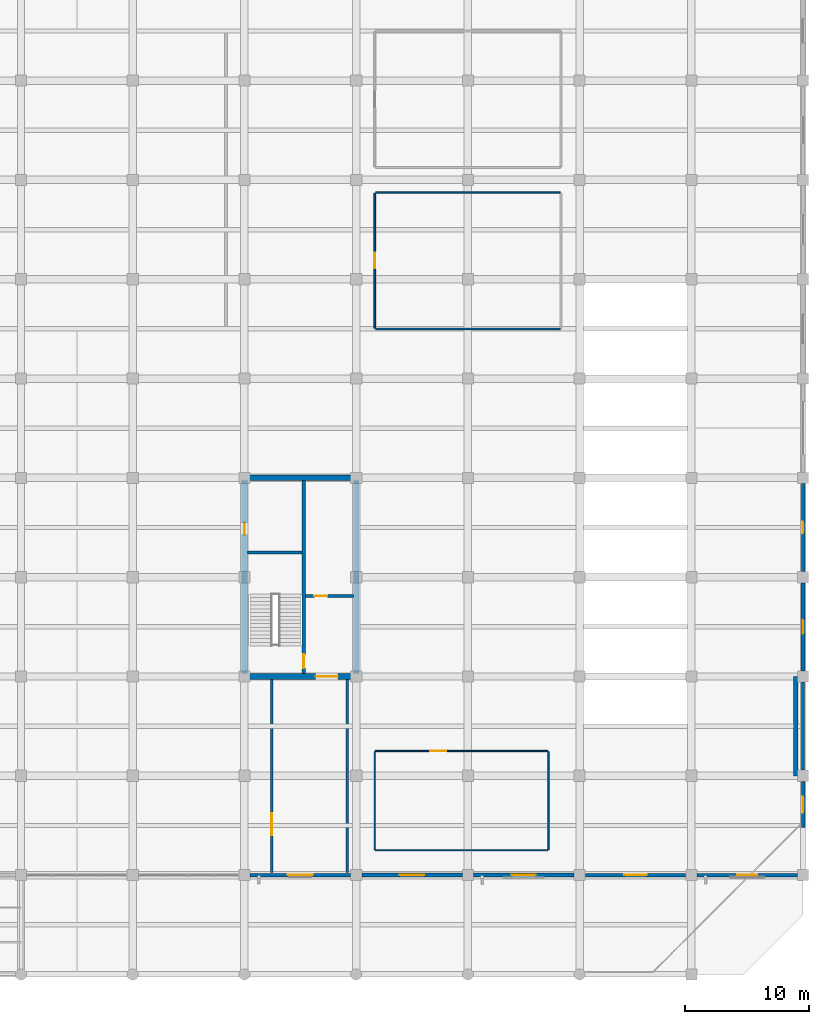
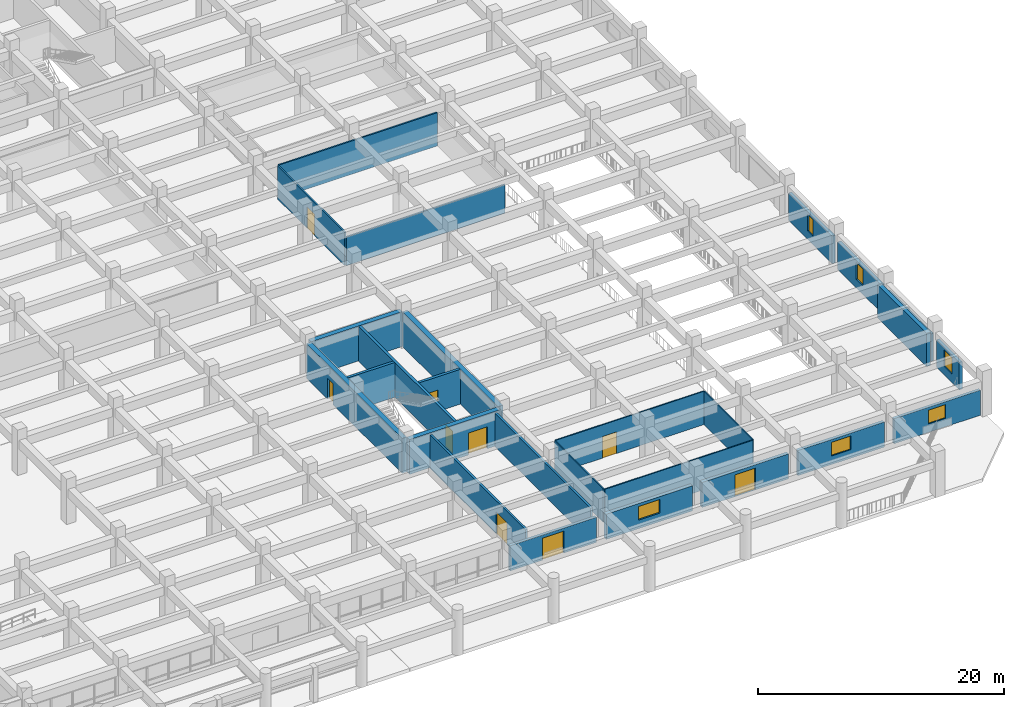
# One storey, part 28 of 40: 26 walls, 9 doors, 6 windows, 15 openings.
"""IFC4 building model written with IfcOpenShell, lengths in metres."""

from ifc_helpers import new_model, si_unit, direction, frame, frame_2d, origin, place, context, subcontext, project, spatial, rectangle, extrude, material, layer, layer_set, type_object, element, fill, save


model = new_model("IFC4")

# Units and contexts
model_context = context("Model", 3, precision=1e-05, world=origin(), true_north=direction((0.0, 1.0)))
body_context = subcontext(model_context, "Body", "Model", "MODEL_VIEW")
ifc_project = project(units=[si_unit("LENGTHUNIT", "METRE"), si_unit("AREAUNIT", "SQUARE_METRE"), si_unit("VOLUMEUNIT", "CUBIC_METRE"), si_unit("PLANEANGLEUNIT", "RADIAN"), si_unit("MASSUNIT", "GRAM", prefix="KILO")], contexts=[model_context])

# Site, building, storey
site_placement = place(None, origin())
site = spatial("IfcSite", under=ifc_project, at=site_placement, CompositionType="ELEMENT")
building_placement = place(site_placement, origin())
building = spatial("IfcBuilding", under=site, at=building_placement, Name="Zaverband Oceanarium and Marine Research Institute", CompositionType="ELEMENT")
storey_placement = place(building_placement, origin())
storey = spatial("IfcBuildingStorey", under=building, at=storey_placement, Name="L00", CompositionType="ELEMENT", Elevation=0.0)

# Wall, opening, door
ifc_material_1 = material(Name="Concrete C50/60", Category="concrete")
ifc_layer_1 = layer(ifc_material_1, 0.449951171875, Name="Concrete C50/60")
ifc_layer_set_1 = layer_set([ifc_layer_1], Name="Concrete C50/60")
wall_type_1 = type_object("IfcWallType", Name="CW-02", PredefinedType="SHEAR", material=ifc_layer_set_1)
wall_1_placement = place(storey_placement, frame((135.22509765625, 24.0, 0.0), z_axis=(0.0, 0.0, 1.0), x_axis=(1.0, 0.0, 0.0)))
wall_1 = element("IfcWall", 1, at=wall_1_placement, inside=storey, type_object=wall_type_1, Name="Structural shear wall CW-02", PredefinedType="SHEAR", context=body_context, shape_type="SweptSolid", body=[
    extrude(rectangle(XDim=8.5498046875, YDim=0.449951171875, at=frame_2d((4.27490234375, 0.0))), origin(), (0.0, 0.0, 1.0), 3.449951171875),
])
opening_1_placement = place(wall_1_placement, frame((5.5, 0.0, 0.0)))
opening_1 = element("IfcOpeningElement", 2, at=opening_1_placement, cuts=wall_1, Name="Opening FD-02", PredefinedType="OPENING", context=body_context, shape_type="SweptSolid", body=[
    extrude(rectangle(XDim=1.800048828125, YDim=2.179931640625, at=frame_2d((0.89990234375, 1.08984375))), frame((0.0, 0.23681640625, 0.0), z_axis=(0.0, -1.0, 0.0), x_axis=(1.0, 0.0, 0.0)), (0.0, 0.0, 1.0), 0.473876953125),
])
ifc_material_2 = material(Name="Steel S355", Category="steel")
door_type_1 = type_object("IfcDoorType", Name="FD-02", OperationType="DOUBLE_DOOR_SINGLE_SWING", PredefinedType="DOOR", material=ifc_material_2)
door_1_placement = place(opening_1_placement, frame((1.800048828125, 0.0, 0.0), z_axis=(0.0, 0.0, 1.0), x_axis=(-1.0, 0.0, 0.0)))
door_1 = element("IfcDoor", 3, at=door_1_placement, inside=storey, type_object=door_type_1, Name="Protected lobby double fire door FD-02", OperationType="DOUBLE_DOOR_SINGLE_SWING", OverallHeight=2.179931640625, OverallWidth=1.800048828125, PredefinedType="DOOR", context=body_context, shape_type="SweptSolid", body=[
    extrude(rectangle(XDim=1.800048828125, YDim=2.179931640625, at=frame_2d((0.89990234375, 1.08984375))), frame((0.0, 0.02490234375, 0.0), z_axis=(0.0, -1.0, 0.0), x_axis=(1.0, 0.0, 0.0)), (0.0, 0.0, 1.0), 0.050048828125),
])
fill(opening_1, door_1)

# Wall
wall_2_placement = place(storey_placement, frame((135.22509765625, 40.0, 0.0), z_axis=(0.0, 0.0, 1.0), x_axis=(1.0, 0.0, 0.0)))
element("IfcWall", 4, at=wall_2_placement, inside=storey, type_object=wall_type_1, Name="Structural shear wall CW-02", PredefinedType="SHEAR", context=body_context, shape_type="SweptSolid", body=[
    extrude(rectangle(XDim=8.5498046875, YDim=0.449951171875, at=frame_2d((4.27490234375, 0.0))), origin(), (0.0, 0.0, 1.0), 3.449951171875),
])

# Wall, opening, door
wall_3_placement = place(storey_placement, frame((135.0, 24.22509765625, 0.0), z_axis=(0.0, 0.0, 1.0), x_axis=(0.0, 1.0, 0.0)))
wall_3 = element("IfcWall", 5, at=wall_3_placement, inside=storey, type_object=wall_type_1, Name="Structural shear wall CW-02", PredefinedType="SHEAR", context=body_context, shape_type="SweptSolid", body=[
    extrude(rectangle(XDim=15.5498046875, YDim=0.449951171875, at=frame_2d((7.77490234375, 0.0))), origin(), (0.0, 0.0, 1.0), 3.449951171875),
])
opening_2_placement = place(wall_3_placement, frame((11.199951171875, 0.0, 0.0)))
opening_2 = element("IfcOpeningElement", 6, at=opening_2_placement, cuts=wall_3, Name="Opening FD-03", PredefinedType="OPENING", context=body_context, shape_type="SweptSolid", body=[
    extrude(rectangle(XDim=0.949951171875, YDim=2.10009765625, at=frame_2d((0.47509765625, 1.050048828125))), frame((0.0, 0.23681640625, 0.0), z_axis=(0.0, -1.0, 0.0), x_axis=(1.0, 0.0, 0.0)), (0.0, 0.0, 1.0), 0.473876953125),
])
door_type_2 = type_object("IfcDoorType", Name="FD-03", OperationType="NOTDEFINED", PredefinedType="DOOR", material=ifc_material_2)
door_2_placement = place(opening_2_placement, origin())
door_2 = element("IfcDoor", 7, at=door_2_placement, inside=storey, type_object=door_type_2, Name="Service riser access fire door FD-03", OperationType="SINGLE_SWING_RIGHT", OverallHeight=2.10009765625, OverallWidth=0.949951171875, PredefinedType="DOOR", context=body_context, shape_type="SweptSolid", body=[
    extrude(rectangle(XDim=0.949951171875, YDim=2.10009765625, at=frame_2d((0.47509765625, 1.050048828125))), frame((0.0, 0.02490234375, 0.0), z_axis=(0.0, -1.0, 0.0), x_axis=(1.0, 0.0, 0.0)), (0.0, 0.0, 1.0), 0.050048828125),
])
fill(opening_2, door_2)

# Wall
wall_4_placement = place(storey_placement, frame((144.0, 24.22509765625, 0.0), z_axis=(0.0, 0.0, 1.0), x_axis=(0.0, 1.0, 0.0)))
element("IfcWall", 8, at=wall_4_placement, inside=storey, type_object=wall_type_1, Name="Structural shear wall CW-02", PredefinedType="SHEAR", context=body_context, shape_type="SweptSolid", body=[
    extrude(rectangle(XDim=15.5498046875, YDim=0.449951171875, at=frame_2d((7.77490234375, 0.0))), origin(), (0.0, 0.0, 1.0), 3.449951171875),
])

# Wall, opening, door
ifc_material_3 = material(Name="Concrete C40/50 precast", Category="concrete")
ifc_layer_2 = layer(ifc_material_3, 0.264892578125, Name="Concrete C40/50 precast")
ifc_layer_set_2 = layer_set([ifc_layer_2], Name="Concrete C40/50 precast")
wall_type_2 = type_object("IfcWallType", Name="EW-265", PredefinedType="STANDARD", material=ifc_layer_set_2)
wall_5_placement = place(storey_placement, frame((135.455078125, 8.0, 0.0), z_axis=(0.0, 0.0, 1.0), x_axis=(1.0, 0.0, 0.0)))
wall_5 = element("IfcWall", 9, at=wall_5_placement, inside=storey, type_object=wall_type_2, Name="Exterior infill wall EW-265", PredefinedType="STANDARD", context=body_context, shape_type="SweptSolid", body=[
    extrude(rectangle(XDim=8.08984375, YDim=0.264892578125, at=frame_2d((4.044921875, 0.0))), origin(), (0.0, 0.0, 1.0), 2.489990234375),
])
opening_3_placement = place(wall_5_placement, frame((3.044921875, 0.0, 0.0)))
opening_3 = element("IfcOpeningElement", 10, at=opening_3_placement, cuts=wall_5, Name="Opening ED-2000x2180", PredefinedType="OPENING", context=body_context, shape_type="SweptSolid", body=[
    extrude(rectangle(XDim=2.0, YDim=2.179931640625, at=frame_2d((1.0, 1.08984375))), frame((0.0, 0.14453125, 0.0), z_axis=(0.0, -1.0, 0.0), x_axis=(1.0, 0.0, 0.0)), (0.0, 0.0, 1.0), 0.288818359375),
])
ifc_material_4 = material(Name="Thermally broken anodized aluminium and laminated glass", Category="aluminium")
door_type_3 = type_object("IfcDoorType", Name="ED-2000x2180", OperationType="DOUBLE_DOOR_SINGLE_SWING", PredefinedType="DOOR", material=ifc_material_4)
door_3_placement = place(opening_3_placement, frame((2.0, 0.0, 0.0), z_axis=(0.0, 0.0, 1.0), x_axis=(-1.0, 0.0, 0.0)))
door_3 = element("IfcDoor", 11, at=door_3_placement, inside=storey, type_object=door_type_3, Name="Pedestrian exit E5", OperationType="DOUBLE_DOOR_SINGLE_SWING", OverallHeight=2.179931640625, OverallWidth=2.0, PredefinedType="DOOR", context=body_context, shape_type="SweptSolid", body=[
    extrude(rectangle(XDim=2.0, YDim=2.179931640625, at=frame_2d((1.0, 1.08984375))), frame((0.0, 0.02490234375, 0.0), z_axis=(0.0, -1.0, 0.0), x_axis=(1.0, 0.0, 0.0)), (0.0, 0.0, 1.0), 0.050048828125),
])
fill(opening_3, door_3)

# Wall, opening, window
wall_6_placement = place(storey_placement, frame((171.455078125, 8.0, 0.0), z_axis=(0.0, 0.0, 1.0), x_axis=(1.0, 0.0, 0.0)))
wall_6 = element("IfcWall", 12, at=wall_6_placement, inside=storey, type_object=wall_type_2, Name="Exterior infill wall EW-265", PredefinedType="STANDARD", context=body_context, shape_type="SweptSolid", body=[
    extrude(rectangle(XDim=8.08984375, YDim=0.264892578125, at=frame_2d((4.044921875, 0.0))), origin(), (0.0, 0.0, 1.0), 2.489990234375),
])
opening_4_placement = place(wall_6_placement, frame((3.2451171875, 0.0, 0.85009765625)))
opening_4 = element("IfcOpeningElement", 13, at=opening_4_placement, cuts=wall_6, Name="Opening WN-1600x1350", PredefinedType="OPENING", context=body_context, shape_type="SweptSolid", body=[
    extrude(rectangle(XDim=1.60009765625, YDim=1.35009765625, at=frame_2d((0.800048828125, 0.675048828125))), frame((0.0, 0.14453125, 0.0), z_axis=(0.0, -1.0, 0.0), x_axis=(1.0, 0.0, 0.0)), (0.0, 0.0, 1.0), 0.288818359375),
])
ifc_material_5 = material(Name="Thermally broken anodized aluminium and solar-control glass", Category="aluminium")
window_type_1 = type_object("IfcWindowType", Name="WN-1600x1350", PartitioningType="SINGLE_PANEL", PredefinedType="WINDOW", material=ifc_material_5)
window_1_placement = place(opening_4_placement, origin())
window_1 = element("IfcWindow", 14, at=window_1_placement, inside=storey, type_object=window_type_1, Name="Fixed / casement exterior window WN-1600x1350", OverallHeight=1.35009765625, OverallWidth=1.60009765625, PartitioningType="SINGLE_PANEL", PredefinedType="WINDOW", context=body_context, shape_type="SweptSolid", body=[
    extrude(rectangle(XDim=1.60009765625, YDim=1.35009765625, at=frame_2d((0.800048828125, 0.675048828125))), frame((0.0, 0.030029296875, 0.0), z_axis=(0.0, -1.0, 0.0), x_axis=(1.0, 0.0, 0.0)), (0.0, 0.0, 1.0), 0.06005859375),
])
fill(opening_4, window_1)

# Wall
wall_7_placement = place(storey_placement, frame((180.0, 16.455078125, 0.0), z_axis=(0.0, 0.0, 1.0), x_axis=(0.0, 1.0, 0.0)))
element("IfcWall", 15, at=wall_7_placement, inside=storey, type_object=wall_type_2, Name="Exterior infill wall EW-265", PredefinedType="STANDARD", context=body_context, shape_type="SweptSolid", body=[
    extrude(rectangle(XDim=7.08984375, YDim=0.264892578125, at=frame_2d((3.544921875, 0.0))), origin(), (0.0, 0.0, 1.0), 2.72998046875),
])

# Wall, opening, window
ifc_layer_3 = layer(ifc_material_3, 0.2900390625, Name="Concrete C40/50 precast")
ifc_layer_set_3 = layer_set([ifc_layer_3], Name="Concrete C40/50 precast")
wall_type_3 = type_object("IfcWallType", Name="EW-290", PredefinedType="STANDARD", material=ifc_layer_set_3)
wall_8_placement = place(storey_placement, frame((162.455078125, 8.0, 0.0), z_axis=(0.0, 0.0, 1.0), x_axis=(1.0, 0.0, 0.0)))
wall_8 = element("IfcWall", 16, at=wall_8_placement, inside=storey, type_object=wall_type_3, Name="Exterior infill wall EW-290", PredefinedType="STANDARD", context=body_context, shape_type="SweptSolid", body=[
    extrude(rectangle(XDim=8.08984375, YDim=0.2900390625, at=frame_2d((4.044921875, 0.0))), origin(), (0.0, 0.0, 1.0), 2.489990234375),
])
opening_5_placement = place(wall_8_placement, frame((3.14501953125, 0.0, 0.85009765625)))
opening_5 = element("IfcOpeningElement", 17, at=opening_5_placement, cuts=wall_8, Name="Opening WN-1800x1350", PredefinedType="OPENING", context=body_context, shape_type="SweptSolid", body=[
    extrude(rectangle(XDim=1.800048828125, YDim=1.35009765625, at=frame_2d((0.89990234375, 0.675048828125))), frame((0.0, 0.156982421875, 0.0), z_axis=(0.0, -1.0, 0.0), x_axis=(1.0, 0.0, 0.0)), (0.0, 0.0, 1.0), 0.31396484375),
])
window_type_2 = type_object("IfcWindowType", Name="WN-1800x1350", PartitioningType="SINGLE_PANEL", PredefinedType="WINDOW", material=ifc_material_5)
window_2_placement = place(opening_5_placement, origin())
window_2 = element("IfcWindow", 18, at=window_2_placement, inside=storey, type_object=window_type_2, Name="Fixed / casement exterior window WN-1800x1350", OverallHeight=1.35009765625, OverallWidth=1.800048828125, PartitioningType="SINGLE_PANEL", PredefinedType="WINDOW", context=body_context, shape_type="SweptSolid", body=[
    extrude(rectangle(XDim=1.800048828125, YDim=1.35009765625, at=frame_2d((0.89990234375, 0.675048828125))), frame((0.0, 0.030029296875, 0.0), z_axis=(0.0, -1.0, 0.0), x_axis=(1.0, 0.0, 0.0)), (0.0, 0.0, 1.0), 0.06005859375),
])
fill(opening_5, window_2)

wall_9_placement = place(storey_placement, frame((180.0, 11.820068359375, 0.0), z_axis=(0.0, 0.0, 1.0), x_axis=(0.0, 1.0, 0.0)))
wall_9 = element("IfcWall", 19, at=wall_9_placement, inside=storey, type_object=wall_type_3, Name="Exterior infill wall EW-290", PredefinedType="STANDARD", context=body_context, shape_type="SweptSolid", body=[
    extrude(rectangle(XDim=3.724853515625, YDim=0.2900390625, at=frame_2d((1.8623046875, 0.0))), origin(), (0.0, 0.0, 1.0), 2.72998046875),
])
opening_6_placement = place(wall_9_placement, frame((1.21240234375, 0.0, 0.85009765625)))
opening_6 = element("IfcOpeningElement", 20, at=opening_6_placement, cuts=wall_9, Name="Opening WN-1300x1650", PredefinedType="OPENING", context=body_context, shape_type="SweptSolid", body=[
    extrude(rectangle(XDim=1.300048828125, YDim=1.64990234375, at=frame_2d((0.64990234375, 0.824951171875))), frame((0.0, 0.156982421875, 0.0), z_axis=(0.0, -1.0, 0.0), x_axis=(1.0, 0.0, 0.0)), (0.0, 0.0, 1.0), 0.31396484375),
])
window_type_3 = type_object("IfcWindowType", Name="WN-1300x1650", PartitioningType="SINGLE_PANEL", PredefinedType="WINDOW", material=ifc_material_5)
window_3_placement = place(opening_6_placement, origin())
window_3 = element("IfcWindow", 21, at=window_3_placement, inside=storey, type_object=window_type_3, Name="Fixed / casement exterior window WN-1300x1650", OverallHeight=1.64990234375, OverallWidth=1.300048828125, PartitioningType="SINGLE_PANEL", PredefinedType="WINDOW", context=body_context, shape_type="SweptSolid", body=[
    extrude(rectangle(XDim=1.300048828125, YDim=1.64990234375, at=frame_2d((0.64990234375, 0.824951171875))), frame((0.0, 0.030029296875, 0.0), z_axis=(0.0, -1.0, 0.0), x_axis=(1.0, 0.0, 0.0)), (0.0, 0.0, 1.0), 0.06005859375),
])
fill(opening_6, window_3)

wall_10_placement = place(storey_placement, frame((180.0, 32.455078125, 0.0), z_axis=(0.0, 0.0, 1.0), x_axis=(0.0, 1.0, 0.0)))
wall_10 = element("IfcWall", 22, at=wall_10_placement, inside=storey, type_object=wall_type_3, Name="Exterior infill wall EW-290", PredefinedType="STANDARD", context=body_context, shape_type="SweptSolid", body=[
    extrude(rectangle(XDim=7.08984375, YDim=0.2900390625, at=frame_2d((3.544921875, 0.0))), origin(), (0.0, 0.0, 1.0), 2.72998046875),
])
opening_7_placement = place(wall_10_placement, frame((3.094970703125, 0.0, 0.85009765625)))
opening_7 = element("IfcOpeningElement", 23, at=opening_7_placement, cuts=wall_10, Name="Opening WN-900x1650", PredefinedType="OPENING", context=body_context, shape_type="SweptSolid", body=[
    extrude(rectangle(XDim=0.89990234375, YDim=1.64990234375, at=frame_2d((0.449951171875, 0.824951171875))), frame((0.0, 0.156982421875, 0.0), z_axis=(0.0, -1.0, 0.0), x_axis=(1.0, 0.0, 0.0)), (0.0, 0.0, 1.0), 0.31396484375),
])
window_type_4 = type_object("IfcWindowType", Name="WN-900x1650", PartitioningType="SINGLE_PANEL", PredefinedType="WINDOW", material=ifc_material_5)
window_4_placement = place(opening_7_placement, origin())
window_4 = element("IfcWindow", 24, at=window_4_placement, inside=storey, type_object=window_type_4, Name="Fixed / casement exterior window WN-900x1650", OverallHeight=1.64990234375, OverallWidth=0.89990234375, PartitioningType="SINGLE_PANEL", PredefinedType="WINDOW", context=body_context, shape_type="SweptSolid", body=[
    extrude(rectangle(XDim=0.89990234375, YDim=1.64990234375, at=frame_2d((0.449951171875, 0.824951171875))), frame((0.0, 0.030029296875, 0.0), z_axis=(0.0, -1.0, 0.0), x_axis=(1.0, 0.0, 0.0)), (0.0, 0.0, 1.0), 0.06005859375),
])
fill(opening_7, window_4)

# Wall, opening, door
ifc_layer_4 = layer(ifc_material_3, 0.31005859375, Name="Concrete C40/50 precast")
ifc_layer_set_4 = layer_set([ifc_layer_4], Name="Concrete C40/50 precast")
wall_type_4 = type_object("IfcWallType", Name="EW-310", PredefinedType="STANDARD", material=ifc_layer_set_4)
wall_11_placement = place(storey_placement, frame((153.455078125, 8.0, 0.0), z_axis=(0.0, 0.0, 1.0), x_axis=(1.0, 0.0, 0.0)))
wall_11 = element("IfcWall", 25, at=wall_11_placement, inside=storey, type_object=wall_type_4, Name="Exterior infill wall EW-310", PredefinedType="STANDARD", context=body_context, shape_type="SweptSolid", body=[
    extrude(rectangle(XDim=8.08984375, YDim=0.31005859375, at=frame_2d((4.044921875, 0.0))), origin(), (0.0, 0.0, 1.0), 2.489990234375),
])
opening_8_placement = place(wall_11_placement, frame((3.094970703125, 0.0, 0.0)))
opening_8 = element("IfcOpeningElement", 26, at=opening_8_placement, cuts=wall_11, Name="Opening ED-1900x2160", PredefinedType="OPENING", context=body_context, shape_type="SweptSolid", body=[
    extrude(rectangle(XDim=1.89990234375, YDim=2.159912109375, at=frame_2d((0.949951171875, 1.080078125))), frame((0.0, 0.1669921875, 0.0), z_axis=(0.0, -1.0, 0.0), x_axis=(1.0, 0.0, 0.0)), (0.0, 0.0, 1.0), 0.333984375),
])
door_type_4 = type_object("IfcDoorType", Name="ED-1900x2160", OperationType="DOUBLE_DOOR_SINGLE_SWING", PredefinedType="DOOR", material=ifc_material_4)
door_4_placement = place(opening_8_placement, frame((1.89990234375, 0.0, 0.0), z_axis=(0.0, 0.0, 1.0), x_axis=(-1.0, 0.0, 0.0)))
door_4 = element("IfcDoor", 27, at=door_4_placement, inside=storey, type_object=door_type_4, Name="Stair discharge exit E6", OperationType="DOUBLE_DOOR_SINGLE_SWING", OverallHeight=2.159912109375, OverallWidth=1.89990234375, PredefinedType="DOOR", context=body_context, shape_type="SweptSolid", body=[
    extrude(rectangle(XDim=1.89990234375, YDim=2.159912109375, at=frame_2d((0.949951171875, 1.080078125))), frame((0.0, 0.02490234375, 0.0), z_axis=(0.0, -1.0, 0.0), x_axis=(1.0, 0.0, 0.0)), (0.0, 0.0, 1.0), 0.050048828125),
])
fill(opening_8, door_4)

# Wall, opening, window
wall_12_placement = place(storey_placement, frame((180.0, 24.455078125, 0.0), z_axis=(0.0, 0.0, 1.0), x_axis=(0.0, 1.0, 0.0)))
wall_12 = element("IfcWall", 28, at=wall_12_placement, inside=storey, type_object=wall_type_4, Name="Exterior infill wall EW-310", PredefinedType="STANDARD", context=body_context, shape_type="SweptSolid", body=[
    extrude(rectangle(XDim=7.08984375, YDim=0.31005859375, at=frame_2d((3.544921875, 0.0))), origin(), (0.0, 0.0, 1.0), 2.72998046875),
])
opening_9_placement = place(wall_12_placement, frame((2.9951171875, 0.0, 0.85009765625)))
opening_9 = element("IfcOpeningElement", 29, at=opening_9_placement, cuts=wall_12, Name="Opening WN-1100x1650", PredefinedType="OPENING", context=body_context, shape_type="SweptSolid", body=[
    extrude(rectangle(XDim=1.10009765625, YDim=1.64990234375, at=frame_2d((0.550048828125, 0.824951171875))), frame((0.0, 0.1669921875, 0.0), z_axis=(0.0, -1.0, 0.0), x_axis=(1.0, 0.0, 0.0)), (0.0, 0.0, 1.0), 0.333984375),
])
window_type_5 = type_object("IfcWindowType", Name="WN-1100x1650", PartitioningType="SINGLE_PANEL", PredefinedType="WINDOW", material=ifc_material_5)
window_5_placement = place(opening_9_placement, origin())
window_5 = element("IfcWindow", 30, at=window_5_placement, inside=storey, type_object=window_type_5, Name="Fixed / casement exterior window WN-1100x1650", OverallHeight=1.64990234375, OverallWidth=1.10009765625, PartitioningType="SINGLE_PANEL", PredefinedType="WINDOW", context=body_context, shape_type="SweptSolid", body=[
    extrude(rectangle(XDim=1.10009765625, YDim=1.64990234375, at=frame_2d((0.550048828125, 0.824951171875))), frame((0.0, 0.030029296875, 0.0), z_axis=(0.0, -1.0, 0.0), x_axis=(1.0, 0.0, 0.0)), (0.0, 0.0, 1.0), 0.06005859375),
])
fill(opening_9, window_5)

ifc_layer_5 = layer(ifc_material_3, 0.340087890625, Name="Concrete C40/50 precast")
ifc_layer_set_5 = layer_set([ifc_layer_5], Name="Concrete C40/50 precast")
wall_type_5 = type_object("IfcWallType", Name="EW-340", PredefinedType="STANDARD", material=ifc_layer_set_5)
wall_13_placement = place(storey_placement, frame((144.455078125, 8.0, 0.0), z_axis=(0.0, 0.0, 1.0), x_axis=(1.0, 0.0, 0.0)))
wall_13 = element("IfcWall", 31, at=wall_13_placement, inside=storey, type_object=wall_type_5, Name="Exterior infill wall EW-340", PredefinedType="STANDARD", context=body_context, shape_type="SweptSolid", body=[
    extrude(rectangle(XDim=8.08984375, YDim=0.340087890625, at=frame_2d((4.044921875, 0.0))), origin(), (0.0, 0.0, 1.0), 2.489990234375),
])
opening_10_placement = place(wall_13_placement, frame((3.044921875, 0.0, 0.85009765625)))
opening_10 = element("IfcOpeningElement", 32, at=opening_10_placement, cuts=wall_13, Name="Opening WN-2000x1350", PredefinedType="OPENING", context=body_context, shape_type="SweptSolid", body=[
    extrude(rectangle(XDim=2.0, YDim=1.35009765625, at=frame_2d((1.0, 0.675048828125))), frame((0.0, 0.18212890625, 0.0), z_axis=(0.0, -1.0, 0.0), x_axis=(1.0, 0.0, 0.0)), (0.0, 0.0, 1.0), 0.364013671875),
])
window_type_6 = type_object("IfcWindowType", Name="WN-2000x1350", PartitioningType="SINGLE_PANEL", PredefinedType="WINDOW", material=ifc_material_5)
window_6_placement = place(opening_10_placement, origin())
window_6 = element("IfcWindow", 33, at=window_6_placement, inside=storey, type_object=window_type_6, Name="Fixed / casement exterior window WN-2000x1350", OverallHeight=1.35009765625, OverallWidth=2.0, PartitioningType="SINGLE_PANEL", PredefinedType="WINDOW", context=body_context, shape_type="SweptSolid", body=[
    extrude(rectangle(XDim=2.0, YDim=1.35009765625, at=frame_2d((1.0, 0.675048828125))), frame((0.0, 0.030029296875, 0.0), z_axis=(0.0, -1.0, 0.0), x_axis=(1.0, 0.0, 0.0)), (0.0, 0.0, 1.0), 0.06005859375),
])
fill(opening_10, window_6)

# Wall
ifc_material_6 = material(Name="Store room fire-lined stud partition")
ifc_layer_6 = layer(ifc_material_6, 0.110107421875, Name="Store room fire-lined stud partition")
ifc_layer_set_6 = layer_set([ifc_layer_6], Name="Store room fire-lined stud partition")
wall_type_6 = type_object("IfcWallType", Name="PT-110-ST", PredefinedType="PARTITIONING", material=ifc_layer_set_6)
wall_14_placement = place(storey_placement, frame((145.554931640625, 10.0, 0.0), z_axis=(0.0, 0.0, 1.0), x_axis=(1.0, 0.0, 0.0)))
element("IfcWall", 34, at=wall_14_placement, inside=storey, type_object=wall_type_6, Name="Internal partition PT-110-ST", PredefinedType="PARTITIONING", context=body_context, shape_type="SweptSolid", body=[
    extrude(rectangle(XDim=13.89013671875, YDim=0.110107421875, at=frame_2d((6.945068359375, 0.0))), origin(), (0.0, 0.0, 1.0), 3.300048828125),
])

# Wall, opening, door
wall_15_placement = place(storey_placement, frame((145.554931640625, 18.0, 0.0), z_axis=(0.0, 0.0, 1.0), x_axis=(1.0, 0.0, 0.0)))
wall_15 = element("IfcWall", 35, at=wall_15_placement, inside=storey, type_object=wall_type_6, Name="Internal partition PT-110-ST", PredefinedType="PARTITIONING", context=body_context, shape_type="SweptSolid", body=[
    extrude(rectangle(XDim=13.89013671875, YDim=0.110107421875, at=frame_2d((6.945068359375, 0.0))), origin(), (0.0, 0.0, 1.0), 3.300048828125),
])
opening_11_placement = place(wall_15_placement, frame((4.406494140625, 0.0, 0.0)))
opening_11 = element("IfcOpeningElement", 36, at=opening_11_placement, cuts=wall_15, Name="Opening ID-1300x2140", PredefinedType="OPENING", context=body_context, shape_type="SweptSolid", body=[
    extrude(rectangle(XDim=1.300048828125, YDim=2.139892578125, at=frame_2d((0.64990234375, 1.06982421875))), frame((0.0, 0.06689453125, 0.0), z_axis=(0.0, -1.0, 0.0), x_axis=(1.0, 0.0, 0.0)), (0.0, 0.0, 1.0), 0.134033203125),
])
ifc_material_7 = material(Name="Hardwood-veneered acoustic timber", Category="wood")
door_type_5 = type_object("IfcDoorType", Name="ID-1300x2140", OperationType="NOTDEFINED", PredefinedType="DOOR", material=ifc_material_7)
door_5_placement = place(opening_11_placement, origin())
door_5 = element("IfcDoor", 37, at=door_5_placement, inside=storey, type_object=door_type_5, Name="Genomics laboratory door ID-1300x2140", OperationType="SINGLE_SWING_RIGHT", OverallHeight=2.139892578125, OverallWidth=1.300048828125, PredefinedType="DOOR", context=body_context, shape_type="SweptSolid", body=[
    extrude(rectangle(XDim=1.300048828125, YDim=2.139892578125, at=frame_2d((0.64990234375, 1.06982421875))), frame((0.0, 0.02490234375, 0.0), z_axis=(0.0, -1.0, 0.0), x_axis=(1.0, 0.0, 0.0)), (0.0, 0.0, 1.0), 0.050048828125),
])
fill(opening_11, door_5)

# Walls
for number, where, z_axis, x_axis, name in (
    (38, (145.5, 10.054931640625, 0.0), (0.0, 0.0, 1.0), (0.0, 1.0, 0.0), "Internal partition PT-110-ST"),
    (39, (159.5, 10.054931640625, 0.0), (0.0, 0.0, 1.0), (0.0, 1.0, 0.0), "Internal partition PT-110-ST"),
):
    element("IfcWall", number, at=place(storey_placement, frame(where, z_axis=z_axis, x_axis=x_axis)), inside=storey, type_object=wall_type_6, Name=name, PredefinedType="PARTITIONING", context=body_context, shape_type="SweptSolid", body=[
        extrude(rectangle(XDim=7.89013671875, YDim=0.110107421875, at=frame_2d((3.945068359375, 0.0))), origin(), (0.0, 0.0, 1.0), 3.300048828125),
    ])
ifc_material_8 = material(Name="Acoustic classroom partition")
ifc_layer_7 = layer(ifc_material_8, 0.139892578125, Name="Acoustic classroom partition")
ifc_layer_set_7 = layer_set([ifc_layer_7], Name="Acoustic classroom partition")
wall_type_7 = type_object("IfcWallType", Name="PT-140-CL", PredefinedType="PARTITIONING", material=ifc_layer_set_7)
wall_16_placement = place(storey_placement, frame((145.570068359375, 52.0, 0.0), z_axis=(0.0, 0.0, 1.0), x_axis=(1.0, 0.0, 0.0)))
element("IfcWall", 40, at=wall_16_placement, inside=storey, type_object=wall_type_7, Name="Acoustic partition PT-140-CL", PredefinedType="PARTITIONING", context=body_context, shape_type="SweptSolid", body=[
    extrude(rectangle(XDim=14.85986328125, YDim=0.139892578125, at=frame_2d((7.429931640625, 0.0))), origin(), (0.0, 0.0, 1.0), 2.85009765625),
])
wall_17_placement = place(storey_placement, frame((145.570068359375, 63.0, 0.0), z_axis=(0.0, 0.0, 1.0), x_axis=(1.0, 0.0, 0.0)))
element("IfcWall", 41, at=wall_17_placement, inside=storey, type_object=wall_type_7, Name="Acoustic partition PT-140-CL", PredefinedType="PARTITIONING", context=body_context, shape_type="SweptSolid", body=[
    extrude(rectangle(XDim=14.85986328125, YDim=0.139892578125, at=frame_2d((7.429931640625, 0.0))), origin(), (0.0, 0.0, 1.0), 3.300048828125),
])

# Wall, opening, door
wall_18_placement = place(storey_placement, frame((145.5, 52.070068359375, 0.0), z_axis=(0.0, 0.0, 1.0), x_axis=(0.0, 1.0, 0.0)))
wall_18 = element("IfcWall", 42, at=wall_18_placement, inside=storey, type_object=wall_type_7, Name="Acoustic partition PT-140-CL", PredefinedType="PARTITIONING", context=body_context, shape_type="SweptSolid", body=[
    extrude(rectangle(XDim=10.85986328125, YDim=0.139892578125, at=frame_2d((5.429931640625, 0.0))), origin(), (0.0, 0.0, 1.0), 3.300048828125),
])
opening_12_placement = place(wall_18_placement, frame((4.804931640625, 0.0, 0.0)))
opening_12 = element("IfcOpeningElement", 43, at=opening_12_placement, cuts=wall_18, Name="Opening ID-1250x2120", PredefinedType="OPENING", context=body_context, shape_type="SweptSolid", body=[
    extrude(rectangle(XDim=1.25, YDim=2.1201171875, at=frame_2d((0.625, 1.06005859375))), frame((0.0, 0.08203125, 0.0), z_axis=(0.0, -1.0, 0.0), x_axis=(1.0, 0.0, 0.0)), (0.0, 0.0, 1.0), 0.163818359375),
])
door_type_6 = type_object("IfcDoorType", Name="ID-1250x2120", OperationType="NOTDEFINED", PredefinedType="DOOR", material=ifc_material_7)
door_6_placement = place(opening_12_placement, origin())
door_6 = element("IfcDoor", 44, at=door_6_placement, inside=storey, type_object=door_type_6, Name="Classroom entrance door ID-1250x2120", OperationType="SINGLE_SWING_LEFT", OverallHeight=2.1201171875, OverallWidth=1.25, PredefinedType="DOOR", context=body_context, shape_type="SweptSolid", body=[
    extrude(rectangle(XDim=1.25, YDim=2.1201171875, at=frame_2d((0.625, 1.06005859375))), frame((0.0, 0.02490234375, 0.0), z_axis=(0.0, -1.0, 0.0), x_axis=(1.0, 0.0, 0.0)), (0.0, 0.0, 1.0), 0.050048828125),
])
fill(opening_12, door_6)

ifc_material_9 = material(Name="Fire-rated masonry compartment wall", Category="masonry")
ifc_layer_8 = layer(ifc_material_9, 0.199951171875, Name="Fire-rated masonry compartment wall")
ifc_layer_set_8 = layer_set([ifc_layer_8], Name="Fire-rated masonry compartment wall")
wall_type_8 = type_object("IfcWallType", Name="PT-200-FR", PredefinedType="PARTITIONING", material=ifc_layer_set_8)
wall_19_placement = place(storey_placement, frame((137.199951171875, 8.199951171875, 0.0), z_axis=(0.0, 0.0, 1.0), x_axis=(0.0, 1.0, 0.0)))
wall_19 = element("IfcWall", 45, at=wall_19_placement, inside=storey, type_object=wall_type_8, Name="Internal partition PT-200-FR", PredefinedType="PARTITIONING", context=body_context, shape_type="SweptSolid", body=[
    extrude(rectangle(XDim=15.550048828125, YDim=0.199951171875, at=frame_2d((7.77490234375, 0.0))), origin(), (0.0, 0.0, 1.0), 3.300048828125),
])
opening_13_placement = place(wall_19_placement, frame((3.0, 0.0, 0.0)))
opening_13 = element("IfcOpeningElement", 46, at=opening_13_placement, cuts=wall_19, Name="Opening FD-02", PredefinedType="OPENING", context=body_context, shape_type="SweptSolid", body=[
    extrude(rectangle(XDim=1.800048828125, YDim=2.179931640625, at=frame_2d((0.89990234375, 1.08984375))), frame((0.0, 0.11181640625, 0.0), z_axis=(0.0, -1.0, 0.0), x_axis=(1.0, 0.0, 0.0)), (0.0, 0.0, 1.0), 0.223876953125),
])
door_7_placement = place(opening_13_placement, frame((1.800048828125, 0.0, 0.0), z_axis=(0.0, 0.0, 1.0), x_axis=(-1.0, 0.0, 0.0)))
door_7 = element("IfcDoor", 47, at=door_7_placement, inside=storey, type_object=door_type_1, Name="Protected Exit Passage ST-04 Fire Door", OperationType="DOUBLE_DOOR_SINGLE_SWING", OverallHeight=2.179931640625, OverallWidth=1.800048828125, PredefinedType="DOOR", context=body_context, shape_type="SweptSolid", body=[
    extrude(rectangle(XDim=1.800048828125, YDim=2.179931640625, at=frame_2d((0.89990234375, 1.08984375))), frame((0.0, 0.02490234375, 0.0), z_axis=(0.0, -1.0, 0.0), x_axis=(1.0, 0.0, 0.0)), (0.0, 0.0, 1.0), 0.050048828125),
])
fill(opening_13, door_7)

# Wall
wall_20_placement = place(storey_placement, frame((143.300048828125, 8.199951171875, 0.0), z_axis=(0.0, 0.0, 1.0), x_axis=(0.0, 1.0, 0.0)))
element("IfcWall", 48, at=wall_20_placement, inside=storey, type_object=wall_type_8, Name="Internal partition PT-200-FR", PredefinedType="PARTITIONING", context=body_context, shape_type="SweptSolid", body=[
    extrude(rectangle(XDim=15.550048828125, YDim=0.199951171875, at=frame_2d((7.77490234375, 0.0))), origin(), (0.0, 0.0, 1.0), 3.300048828125),
])

# Wall, opening, door
ifc_layer_9 = layer(ifc_material_1, 0.25, Name="Concrete C50/60")
ifc_layer_set_9 = layer_set([ifc_layer_9], Name="Concrete C50/60")
wall_type_9 = type_object("IfcWallType", Name="PW-CORE-250", PredefinedType="SOLIDWALL", material=ifc_layer_set_9)
wall_21_placement = place(storey_placement, frame((139.77490234375, 24.22509765625, 0.0), z_axis=(0.0, 0.0, 1.0), x_axis=(0.0, 1.0, 0.0)))
wall_21 = element("IfcWall", 49, at=wall_21_placement, inside=storey, type_object=wall_type_9, Name="Structural concrete wall PW-CORE-250", PredefinedType="SOLIDWALL", context=body_context, shape_type="SweptSolid", body=[
    extrude(rectangle(XDim=15.5498046875, YDim=0.25, at=frame_2d((7.77490234375, 0.0))), origin(), (0.0, 0.0, 1.0), 3.449951171875),
])
opening_14_placement = place(wall_21_placement, frame((0.449951171875, 0.0, 0.0)))
opening_14 = element("IfcOpeningElement", 50, at=opening_14_placement, cuts=wall_21, Name="Opening FD-01", PredefinedType="OPENING", context=body_context, shape_type="SweptSolid", body=[
    extrude(rectangle(XDim=1.10009765625, YDim=2.14990234375, at=frame_2d((0.550048828125, 1.074951171875))), frame((0.0, 0.136962890625, 0.0), z_axis=(0.0, -1.0, 0.0), x_axis=(1.0, 0.0, 0.0)), (0.0, 0.0, 1.0), 0.27392578125),
])
door_type_7 = type_object("IfcDoorType", Name="FD-01", OperationType="NOTDEFINED", PredefinedType="DOOR", material=ifc_material_2)
door_8_placement = place(opening_14_placement, frame((1.10009765625, 0.0, 0.0), z_axis=(0.0, 0.0, 1.0), x_axis=(-1.0, 0.0, 0.0)))
door_8 = element("IfcDoor", 51, at=door_8_placement, inside=storey, type_object=door_type_7, Name="Core stair / lobby fire door FD-01", OperationType="SINGLE_SWING_LEFT", OverallHeight=2.14990234375, OverallWidth=1.10009765625, PredefinedType="DOOR", context=body_context, shape_type="SweptSolid", body=[
    extrude(rectangle(XDim=1.10009765625, YDim=2.14990234375, at=frame_2d((0.550048828125, 1.074951171875))), frame((0.0, 0.02490234375, 0.0), z_axis=(0.0, -1.0, 0.0), x_axis=(1.0, 0.0, 0.0)), (0.0, 0.0, 1.0), 0.050048828125),
])
fill(opening_14, door_8)

# Wall
wall_22_placement = place(storey_placement, frame((135.22509765625, 33.97509765625, 0.0), z_axis=(0.0, 0.0, 1.0), x_axis=(1.0, 0.0, 0.0)))
element("IfcWall", 52, at=wall_22_placement, inside=storey, type_object=wall_type_9, Name="Structural concrete wall PW-CORE-250", PredefinedType="SOLIDWALL", context=body_context, shape_type="SweptSolid", body=[
    extrude(rectangle(XDim=4.419921875, YDim=0.25, at=frame_2d((2.2099609375, 0.0))), origin(), (0.0, 0.0, 1.0), 3.449951171875),
])

# Wall, opening, door
wall_23_placement = place(storey_placement, frame((139.905029296875, 30.47509765625, 0.0), z_axis=(0.0, 0.0, 1.0), x_axis=(1.0, 0.0, 0.0)))
wall_23 = element("IfcWall", 53, at=wall_23_placement, inside=storey, type_object=wall_type_9, Name="Structural concrete wall PW-CORE-250", PredefinedType="SOLIDWALL", context=body_context, shape_type="SweptSolid", body=[
    extrude(rectangle(XDim=3.869873046875, YDim=0.25, at=frame_2d((1.93505859375, 0.0))), origin(), (0.0, 0.0, 1.0), 3.449951171875),
])
opening_15_placement = place(wall_23_placement, frame((0.719970703125, 0.0, 0.0)))
opening_15 = element("IfcOpeningElement", 54, at=opening_15_placement, cuts=wall_23, Name="Opening LD-02", PredefinedType="OPENING", context=body_context, shape_type="SweptSolid", body=[
    extrude(rectangle(XDim=1.050048828125, YDim=2.1201171875, at=frame_2d((0.52490234375, 1.06005859375))), frame((0.0, 0.136962890625, 0.0), z_axis=(0.0, -1.0, 0.0), x_axis=(1.0, 0.0, 0.0)), (0.0, 0.0, 1.0), 0.27392578125),
])
door_type_8 = type_object("IfcDoorType", Name="LD-02", OperationType="DOUBLE_DOOR_SLIDING", PredefinedType="DOOR", material=ifc_material_2)
door_9_placement = place(opening_15_placement, origin())
door_9 = element("IfcDoor", 55, at=door_9_placement, inside=storey, type_object=door_type_8, Name="Passenger lift sliding landing door LD-02", OperationType="DOUBLE_DOOR_SLIDING", OverallHeight=2.1201171875, OverallWidth=1.050048828125, PredefinedType="DOOR", context=body_context, shape_type="SweptSolid", body=[
    extrude(rectangle(XDim=1.050048828125, YDim=2.1201171875, at=frame_2d((0.52490234375, 1.06005859375))), frame((0.0, 0.02490234375, 0.0), z_axis=(0.0, -1.0, 0.0), x_axis=(1.0, 0.0, 0.0)), (0.0, 0.0, 1.0), 0.050048828125),
])
fill(opening_15, door_9)

# Wall
ifc_layer_10 = layer(ifc_material_1, 0.3798828125, Name="Concrete C50/60")
ifc_layer_set_10 = layer_set([ifc_layer_10], Name="Concrete C50/60")
wall_type_10 = type_object("IfcWallType", Name="SW-02", PredefinedType="SHEAR", material=ifc_layer_set_10)
wall_24_placement = place(storey_placement, frame((179.39990234375, 16.0, 0.0), z_axis=(0.0, 0.0, 1.0), x_axis=(0.0, 1.0, 0.0)))
element("IfcWall", 56, at=wall_24_placement, inside=storey, type_object=wall_type_10, Name="Structural shear wall SW-02", PredefinedType="SHEAR", context=body_context, shape_type="SweptSolid", body=[
    extrude(rectangle(XDim=8.0, YDim=0.3798828125, at=frame_2d((4.0, 0.0))), origin(), (0.0, 0.0, 1.0), 3.300048828125),
])

save(model, "model.ifc")
